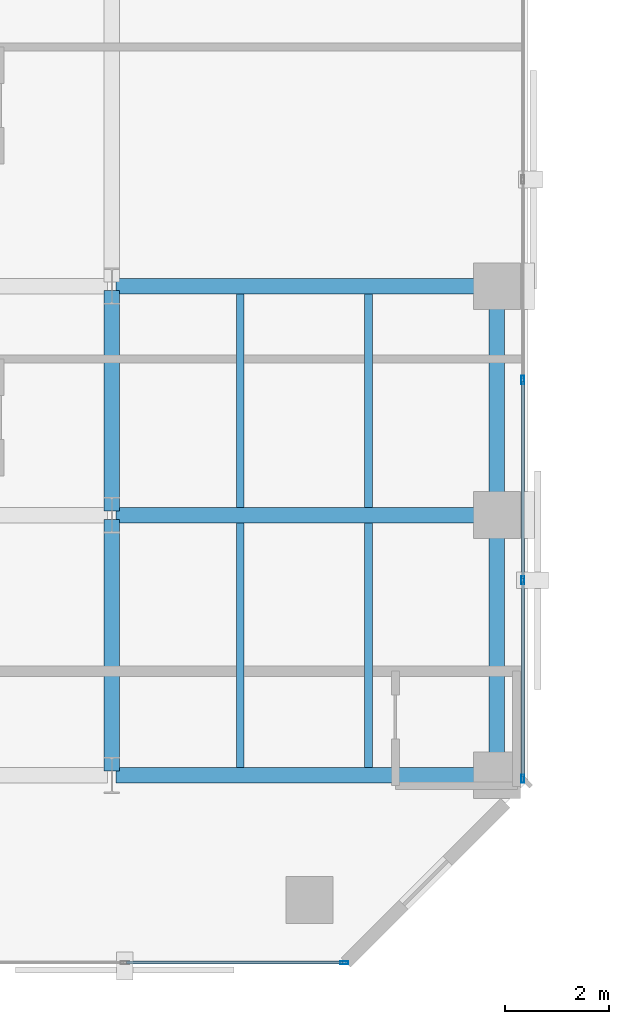
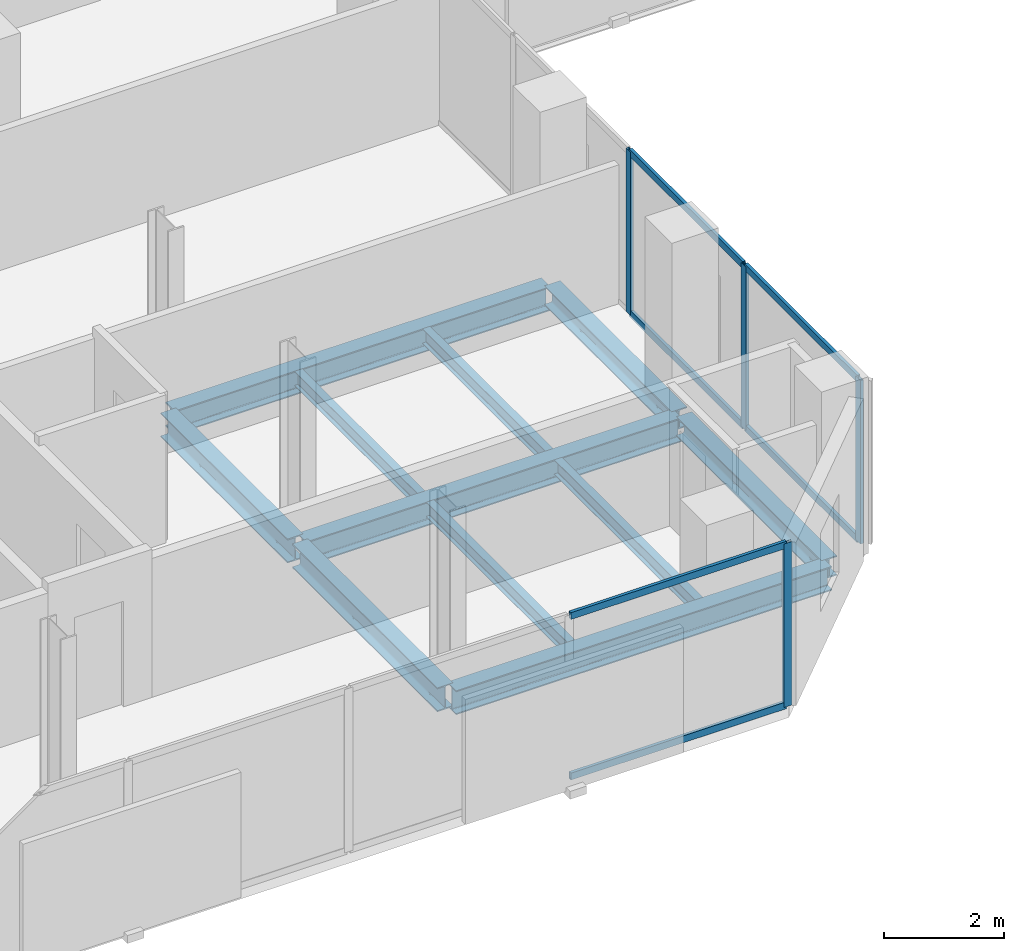
# One storey, part 7 of 35: 11 beams, 10 members, 2 elements without a shape of their own.
"""IFC4 building model written with IfcOpenShell, lengths in metres."""

from ifc_helpers import new_model, si_unit, direction, frame, origin, origin_2d, place, context, subcontext, project, spatial, hollow_rectangle, i_section, extrude, material, layer, layer_set, material_profile, profile_set, type_object, element, aggregate, save


model = new_model("IFC4")

# Units and contexts
model_context = context("Model", 3, precision=1e-05, world=origin(), true_north=direction((0.0, 1.0)))
body_context = subcontext(model_context, "Body", "Model", "MODEL_VIEW")
ifc_project = project(units=[si_unit("LENGTHUNIT", "METRE"), si_unit("AREAUNIT", "SQUARE_METRE"), si_unit("VOLUMEUNIT", "CUBIC_METRE"), si_unit("PLANEANGLEUNIT", "RADIAN"), si_unit("MASSUNIT", "GRAM", prefix="KILO")], contexts=[model_context])

# Site, building, storey
site_placement = place(None, origin())
site = spatial("IfcSite", under=ifc_project, at=site_placement, CompositionType="ELEMENT")
building_placement = place(site_placement, origin())
building = spatial("IfcBuilding", under=site, at=building_placement, Name="Catumbela Crestline Tower", CompositionType="ELEMENT")
storey_placement = place(building_placement, frame((0.0, 0.0, 90.0)))
storey = spatial("IfcBuildingStorey", under=building, at=storey_placement, Name="L22", CompositionType="ELEMENT", Elevation=90.0)

# Beams
ifc_material_1 = material(Name="Structural steel S355J2", Category="steel")
ifc_material_profile_1 = material_profile(ifc_material_1, i_section(OverallWidth=0.3, OverallDepth=0.49, WebThickness=0.012, FlangeThickness=0.023, FilletRadius=0.027, at=origin_2d()), Name="HEA 500")
ifc_profile_set_1 = profile_set([ifc_material_profile_1], Name="Structural steel S355J2")
beam_type_1 = type_object("IfcBeamType", Name="BG-HEA500", PredefinedType="BEAM", material=ifc_profile_set_1)
for number, where, z_axis, x_axis, name in (
    (1, (16.08, 8.6, -0.505), (1.0, 0.0, 0.0), (0.0, 1.0, 0.0), "L22 Beam BM-L22-WEW45"),
    (2, (16.08, 13.6, -0.505), (1.0, 0.0, 0.0), (0.0, 1.0, 0.0), "L22 Beam BM-L22-WEW48"),
    (3, (16.08, 18.0, -0.505), (1.0, 0.0, 0.0), (0.0, 1.0, 0.0), "L22 Beam BM-L22-WEW51"),
):
    element("IfcBeam", number, at=place(storey_placement, frame(where, z_axis=z_axis, x_axis=x_axis)), inside=storey, type_object=beam_type_1, Name=name, PredefinedType="BEAM", context=body_context, shape_type="SweptSolid", body=[
        extrude(i_section(OverallWidth=0.3, OverallDepth=0.49, WebThickness=0.012, FlangeThickness=0.023, FilletRadius=0.027, at=origin_2d()), origin(), (0.0, 0.0, 1.0), 7.24),
    ])
beam_1_placement = place(storey_placement, frame((16.0, 8.68, -0.505), z_axis=(0.0, 1.0, 0.0), x_axis=(-1.0, 0.0, 0.0)))
element("IfcBeam", 4, at=beam_1_placement, inside=storey, type_object=beam_type_1, Name="L22 Beam BM-L22-WNS58", PredefinedType="BEAM", context=body_context, shape_type="SweptSolid", body=[
    extrude(i_section(OverallWidth=0.3, OverallDepth=0.49, WebThickness=0.012, FlangeThickness=0.023, FilletRadius=0.027, at=origin_2d()), origin(), (0.0, 0.0, 1.0), 4.84),
])
beam_2_placement = place(storey_placement, frame((16.0, 13.68, -0.505), z_axis=(0.0, 1.0, 0.0), x_axis=(-1.0, 0.0, 0.0)))
element("IfcBeam", 5, at=beam_2_placement, inside=storey, type_object=beam_type_1, Name="L22 Beam BM-L22-WNS59", PredefinedType="BEAM", context=body_context, shape_type="SweptSolid", body=[
    extrude(i_section(OverallWidth=0.3, OverallDepth=0.49, WebThickness=0.012, FlangeThickness=0.023, FilletRadius=0.027, at=origin_2d()), origin(), (0.0, 0.0, 1.0), 4.24),
])
ifc_material_profile_2 = material_profile(ifc_material_1, i_section(OverallWidth=0.15, OverallDepth=0.3, WebThickness=0.0071, FlangeThickness=0.0107, FilletRadius=0.015, at=origin_2d()), Name="IPE 300")
ifc_profile_set_2 = profile_set([ifc_material_profile_2], Name="Structural steel S355J2")
beam_type_2 = type_object("IfcBeamType", Name="BJ-IPE300", PredefinedType="JOIST", material=ifc_profile_set_2)
for number, where, z_axis, x_axis, name in (
    (6, (18.467, 8.747, -0.41), (0.0, 1.0, 0.0), (-1.0, 0.0, 0.0), "L22 Joist JS-L22-WG67"),
    (7, (20.933, 8.747, -0.41), (0.0, 1.0, 0.0), (-1.0, 0.0, 0.0), "L22 Joist JS-L22-WG68"),
):
    element("IfcBeam", number, at=place(storey_placement, frame(where, z_axis=z_axis, x_axis=x_axis)), inside=storey, type_object=beam_type_2, Name=name, PredefinedType="JOIST", context=body_context, shape_type="SweptSolid", body=[
        extrude(i_section(OverallWidth=0.15, OverallDepth=0.3, WebThickness=0.0071, FlangeThickness=0.0107, FilletRadius=0.015, at=origin_2d()), origin(), (0.0, 0.0, 1.0), 4.706),
    ])
for number, where, z_axis, x_axis, name in (
    (8, (18.467, 13.747, -0.41), (0.0, 1.0, 0.0), (-1.0, 0.0, 0.0), "L22 Joist JS-L22-WG73"),
    (9, (20.933, 13.747, -0.41), (0.0, 1.0, 0.0), (-1.0, 0.0, 0.0), "L22 Joist JS-L22-WG74"),
):
    element("IfcBeam", number, at=place(storey_placement, frame(where, z_axis=z_axis, x_axis=x_axis)), inside=storey, type_object=beam_type_2, Name=name, PredefinedType="JOIST", context=body_context, shape_type="SweptSolid", body=[
        extrude(i_section(OverallWidth=0.15, OverallDepth=0.3, WebThickness=0.0071, FlangeThickness=0.0107, FilletRadius=0.015, at=origin_2d()), origin(), (0.0, 0.0, 1.0), 4.106),
    ])

# Curtain wall, member
ifc_material_2 = material(Name="Aluminium alloy AW-6060-T66", Category="aluminium")
ifc_layer = layer(ifc_material_2, 0.18, Name="Aluminium alloy AW-6060-T66")
ifc_layer_set = layer_set([ifc_layer], Name="Aluminium alloy AW-6060-T66")
curtain_wall_type = type_object("IfcCurtainWallType", Name="CWU-Z2", PredefinedType="USERDEFINED", material=ifc_layer_set)
curtain_wall_1_placement = place(storey_placement, origin())
curtain_wall_1 = element("IfcCurtainWall", 10, at=curtain_wall_1_placement, inside=storey, type_object=curtain_wall_type, Name="L22 Unitised Curtain Wall CW-L22-E0S1", ObjectType="UNITISED", PredefinedType="USERDEFINED")
ifc_material_profile_3 = material_profile(ifc_material_2, hollow_rectangle(XDim=0.06, YDim=0.16, WallThickness=0.004, at=origin_2d()), Name="ALU 160x60x4")
ifc_profile_set_3 = profile_set([ifc_material_profile_3], Name="Aluminium alloy AW-6060-T66")
member_type_1 = type_object("IfcMemberType", Name="MUL-160X60", PredefinedType="MULLION", material=ifc_profile_set_3)
member_1_placement = place(storey_placement, frame((20.4675, 5.0, 0.0), z_axis=(0.0, 0.0, 1.0), x_axis=(0.0, 1.0, 0.0)))
member_1 = element("IfcMember", 11, at=member_1_placement, type_object=member_type_1, Name="CWU-Z2 mullion 5", PredefinedType="MULLION", context=body_context, shape_type="SweptSolid", body=[
    extrude(hollow_rectangle(XDim=0.06, YDim=0.16, WallThickness=0.004, at=origin_2d()), origin(), (0.0, 0.0, 1.0), 3.33),
])

# Curtain wall, members
curtain_wall_2_placement = place(storey_placement, origin())
curtain_wall_2 = element("IfcCurtainWall", 12, at=curtain_wall_2_placement, inside=storey, type_object=curtain_wall_type, Name="L22 Unitised Curtain Wall CW-L22-E2S1", ObjectType="UNITISED", PredefinedType="USERDEFINED")
member_2_placement = place(storey_placement, frame((23.9, 8.5325, 0.0), z_axis=(0.0, 0.0, 1.0), x_axis=(-1.0, 0.0, 0.0)))
member_2 = element("IfcMember", 13, at=member_2_placement, type_object=member_type_1, Name="CWU-Z2 mullion 1", PredefinedType="MULLION", context=body_context, shape_type="SweptSolid", body=[
    extrude(hollow_rectangle(XDim=0.06, YDim=0.16, WallThickness=0.004, at=origin_2d()), origin(), (0.0, 0.0, 1.0), 3.33),
])
member_3_placement = place(storey_placement, frame((23.9, 12.35, 0.0), z_axis=(0.0, 0.0, 1.0), x_axis=(-1.0, 0.0, 0.0)))
member_3 = element("IfcMember", 14, at=member_3_placement, type_object=member_type_1, Name="CWU-Z2 mullion 2", PredefinedType="MULLION", context=body_context, shape_type="SweptSolid", body=[
    extrude(hollow_rectangle(XDim=0.06, YDim=0.16, WallThickness=0.004, at=origin_2d()), origin(), (0.0, 0.0, 1.0), 3.33),
])
member_4_placement = place(storey_placement, frame((23.9, 16.2, 0.0), z_axis=(0.0, 0.0, 1.0), x_axis=(-1.0, 0.0, 0.0)))
member_4 = element("IfcMember", 15, at=member_4_placement, type_object=member_type_1, Name="CWU-Z2 mullion 3", PredefinedType="MULLION", context=body_context, shape_type="SweptSolid", body=[
    extrude(hollow_rectangle(XDim=0.06, YDim=0.16, WallThickness=0.004, at=origin_2d()), origin(), (0.0, 0.0, 1.0), 3.33),
])

# Beams
ifc_material_profile_4 = material_profile(ifc_material_1, i_section(OverallWidth=0.3, OverallDepth=0.4, WebThickness=0.0135, FlangeThickness=0.024, FilletRadius=0.027, at=origin_2d()), Name="HEB 400")
ifc_profile_set_4 = profile_set([ifc_material_profile_4], Name="Structural steel S355J2")
beam_type_3 = type_object("IfcBeamType", Name="BS-HEB400", PredefinedType="SPANDREL", material=ifc_profile_set_4)
beam_3_placement = place(storey_placement, frame((23.4, 8.68, -0.46), z_axis=(0.0, 1.0, 0.0), x_axis=(-1.0, 0.0, 0.0)))
element("IfcBeam", 16, at=beam_3_placement, inside=storey, type_object=beam_type_3, Name="L22 Spandrel SP-L22-WNS61", PredefinedType="SPANDREL", context=body_context, shape_type="SweptSolid", body=[
    extrude(i_section(OverallWidth=0.3, OverallDepth=0.4, WebThickness=0.0135, FlangeThickness=0.024, FilletRadius=0.027, at=origin_2d()), origin(), (0.0, 0.0, 1.0), 4.84),
])
beam_4_placement = place(storey_placement, frame((23.4, 13.68, -0.46), z_axis=(0.0, 1.0, 0.0), x_axis=(-1.0, 0.0, 0.0)))
element("IfcBeam", 17, at=beam_4_placement, inside=storey, type_object=beam_type_3, Name="L22 Spandrel SP-L22-WNS62", PredefinedType="SPANDREL", context=body_context, shape_type="SweptSolid", body=[
    extrude(i_section(OverallWidth=0.3, OverallDepth=0.4, WebThickness=0.0135, FlangeThickness=0.024, FilletRadius=0.027, at=origin_2d()), origin(), (0.0, 0.0, 1.0), 4.24),
])

# Member
ifc_material_profile_5 = material_profile(ifc_material_2, hollow_rectangle(XDim=0.06, YDim=0.14, WallThickness=0.004, at=origin_2d()), Name="ALU 140x60x4")
ifc_profile_set_5 = profile_set([ifc_material_profile_5], Name="Aluminium alloy AW-6060-T66")
member_type_2 = type_object("IfcMemberType", Name="TRN-140X60", PredefinedType="USERDEFINED", material=ifc_profile_set_5)
member_5_placement = place(storey_placement, frame((16.2825, 5.0, 0.03), z_axis=(1.0, 0.0, 0.0), x_axis=(0.0, 1.0, 0.0)))
member_5 = element("IfcMember", 18, at=member_5_placement, type_object=member_type_2, Name="CWU-Z2 transom 4.1", ObjectType="TRANSOM", PredefinedType="USERDEFINED", context=body_context, shape_type="SweptSolid", body=[
    extrude(hollow_rectangle(XDim=0.06, YDim=0.14, WallThickness=0.004, at=origin_2d()), origin(), (0.0, 0.0, 1.0), 4.1525),
])

member_6_placement = place(storey_placement, frame((16.2825, 5.0, 3.3), z_axis=(1.0, 0.0, 0.0), x_axis=(0.0, 1.0, 0.0)))
member_6 = element("IfcMember", 19, at=member_6_placement, type_object=member_type_2, Name="CWU-Z2 transom 4.2", ObjectType="TRANSOM", PredefinedType="USERDEFINED", context=body_context, shape_type="SweptSolid", body=[
    extrude(hollow_rectangle(XDim=0.06, YDim=0.14, WallThickness=0.004, at=origin_2d()), origin(), (0.0, 0.0, 1.0), 4.1525),
])

aggregate(curtain_wall_1, [member_1, member_5, member_6])

member_7_placement = place(storey_placement, frame((23.9, 8.565, 0.03), z_axis=(0.0, 1.0, 0.0), x_axis=(-1.0, 0.0, 0.0)))
member_7 = element("IfcMember", 20, at=member_7_placement, type_object=member_type_2, Name="CWU-Z2 transom 1.1", ObjectType="TRANSOM", PredefinedType="USERDEFINED", context=body_context, shape_type="SweptSolid", body=[
    extrude(hollow_rectangle(XDim=0.06, YDim=0.14, WallThickness=0.004, at=origin_2d()), origin(), (0.0, 0.0, 1.0), 3.7525),
])

member_8_placement = place(storey_placement, frame((23.9, 8.565, 3.3), z_axis=(0.0, 1.0, 0.0), x_axis=(-1.0, 0.0, 0.0)))
member_8 = element("IfcMember", 21, at=member_8_placement, type_object=member_type_2, Name="CWU-Z2 transom 1.2", ObjectType="TRANSOM", PredefinedType="USERDEFINED", context=body_context, shape_type="SweptSolid", body=[
    extrude(hollow_rectangle(XDim=0.06, YDim=0.14, WallThickness=0.004, at=origin_2d()), origin(), (0.0, 0.0, 1.0), 3.7525),
])

member_9_placement = place(storey_placement, frame((23.9, 12.3825, 0.03), z_axis=(0.0, 1.0, 0.0), x_axis=(-1.0, 0.0, 0.0)))
member_9 = element("IfcMember", 22, at=member_9_placement, type_object=member_type_2, Name="CWU-Z2 transom 2.1", ObjectType="TRANSOM", PredefinedType="USERDEFINED", context=body_context, shape_type="SweptSolid", body=[
    extrude(hollow_rectangle(XDim=0.06, YDim=0.14, WallThickness=0.004, at=origin_2d()), origin(), (0.0, 0.0, 1.0), 3.785),
])

member_10_placement = place(storey_placement, frame((23.9, 12.3825, 3.3), z_axis=(0.0, 1.0, 0.0), x_axis=(-1.0, 0.0, 0.0)))
member_10 = element("IfcMember", 23, at=member_10_placement, type_object=member_type_2, Name="CWU-Z2 transom 2.2", ObjectType="TRANSOM", PredefinedType="USERDEFINED", context=body_context, shape_type="SweptSolid", body=[
    extrude(hollow_rectangle(XDim=0.06, YDim=0.14, WallThickness=0.004, at=origin_2d()), origin(), (0.0, 0.0, 1.0), 3.785),
])

aggregate(curtain_wall_2, [member_2, member_3, member_4, member_7, member_8, member_9, member_10])

save(model, "model.ifc")
